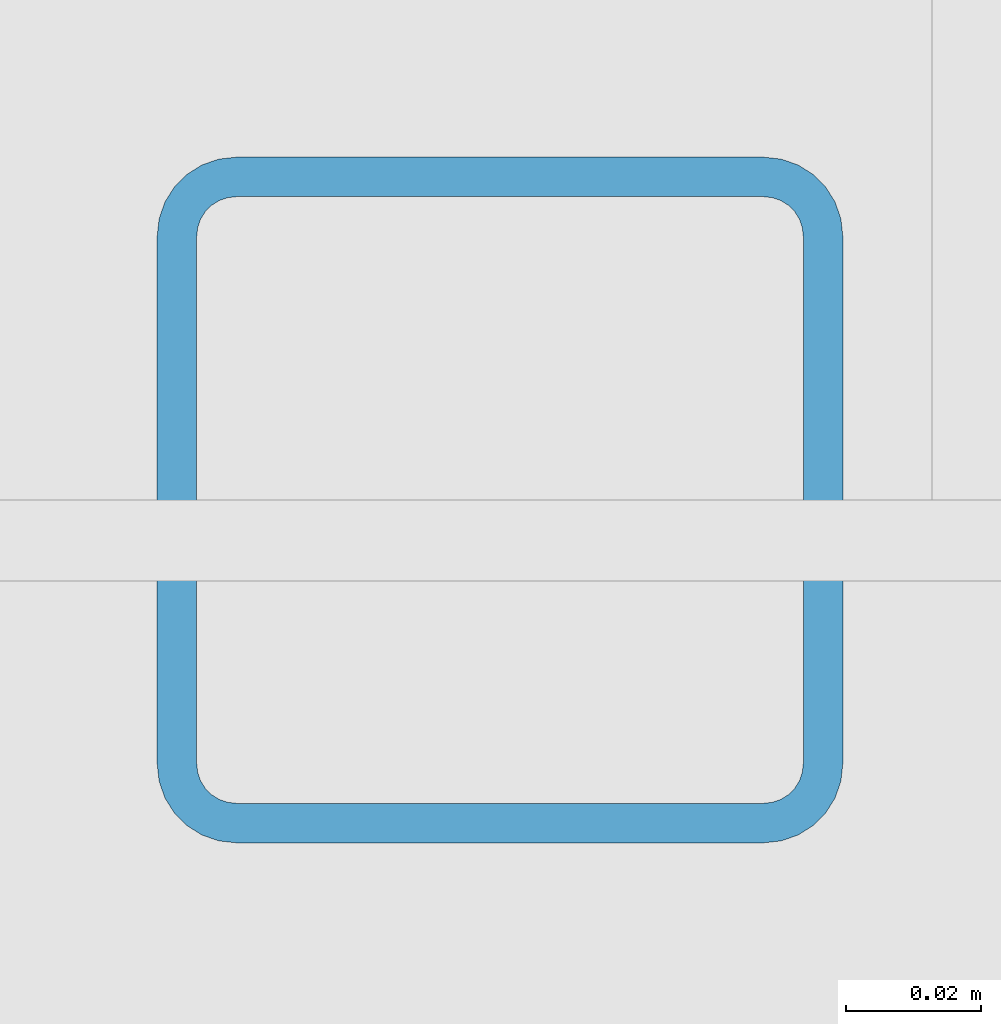
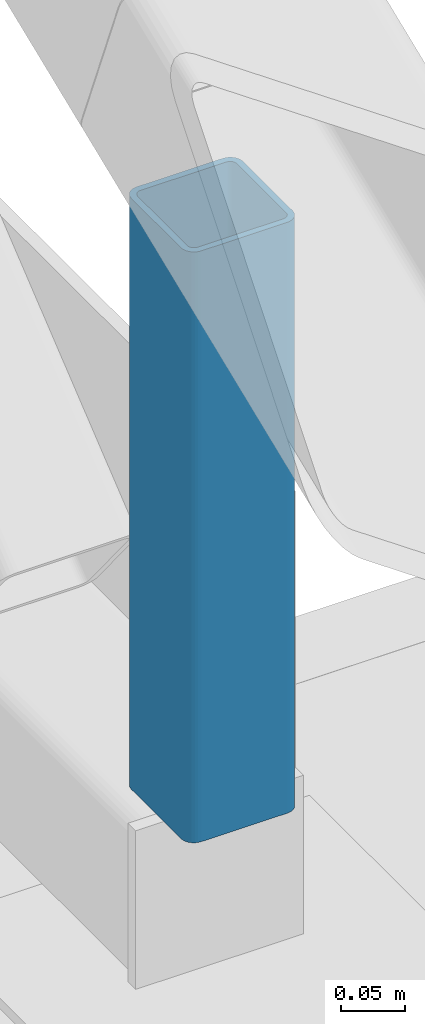
# One storey, part 30 of 71: 1 member.
"""IFC4 building model written with IfcOpenShell, lengths in metres."""

import ifcopenshell
import ifcopenshell.guid

model = None  # the IFC model being written
_history = None  # IfcOwnerHistory: only IFC2X3 demands one
_inside = {}  # id of a spatial element -> (the spatial element, [elements in it])
_under = {}  # id of a project, library or spatial element -> (it, [spatial elements below it])
_declared = {}  # id of a project -> (the project, [libraries it declares])
_typed = {}  # id of a type object -> (the type object, [elements of that type])
_made_of = {}  # id of a material, layer set ... -> (it, [elements and type objects made of it])


def new_model(schema):
    """Start an empty IFC model of exactly this schema.

    Asked for "IFC4X3", IfcOpenShell would pick the latest addendum, in which some entities
    have other attributes; the version numbers below select the first issue.
    IFC2X3 requires an IfcOwnerHistory on every rooted entity: one is made here for all.
    """
    global model, _history
    if schema == "IFC4X3":
        model = ifcopenshell.file(schema_version=(4, 3, 0, 0))
    else:
        model = ifcopenshell.file(schema=schema)
    _inside.clear()
    _under.clear()
    _declared.clear()
    _typed.clear()
    _made_of.clear()
    _history = None
    if model.schema == "IFC2X3":
        org = make("IfcOrganization", Name="unknown")
        user = make(
            "IfcPersonAndOrganization",
            ThePerson=make("IfcPerson", FamilyName="unknown"),
            TheOrganization=org,
        )
        app = make(
            "IfcApplication",
            ApplicationDeveloper=org,
            Version="unknown",
            ApplicationFullName="unknown",
            ApplicationIdentifier="unknown",
        )
        _history = make(
            "IfcOwnerHistory",
            OwningUser=user,
            OwningApplication=app,
            ChangeAction="ADDED",
            CreationDate=0,
        )
    return model


def make(cls, **values):
    """One entity of the class cls with the attributes given. An attribute that is None is left unset."""
    return model.create_entity(
        cls, **{name: value for name, value in values.items() if value is not None}
    )


def rooted(cls, **values):
    """An entity with a GlobalId (a new one), such as an element, a storey or a relation."""
    return make(cls, GlobalId=ifcopenshell.guid.new(), OwnerHistory=_history, **values)


def si_unit(unit_type, name, prefix=None):
    """IfcSIUnit, for example si_unit("LENGTHUNIT", "METRE", prefix="MILLI")."""
    return make("IfcSIUnit", UnitType=unit_type, Prefix=prefix, Name=name)


def assignment(units):
    """IfcUnitAssignment: the units of a project."""
    return None if units is None else make("IfcUnitAssignment", Units=units)


def point(xyz):
    """IfcCartesianPoint."""
    return None if xyz is None else make("IfcCartesianPoint", Coordinates=xyz)


def direction(xyz):
    """IfcDirection."""
    return None if xyz is None else make("IfcDirection", DirectionRatios=xyz)


def frame(location, z_axis=None, x_axis=None):
    """IfcAxis2Placement3D, a coordinate frame: its origin and axes. An axis left out is left unset."""
    return make(
        "IfcAxis2Placement3D",
        Location=point(location),
        Axis=direction(z_axis),
        RefDirection=direction(x_axis),
    )


def frame_2d(location, x_axis=None):
    """IfcAxis2Placement2D, a coordinate frame in the plane: its origin and x axis."""
    return make(
        "IfcAxis2Placement2D", Location=point(location), RefDirection=direction(x_axis)
    )


def origin():
    """The frame at (0, 0, 0) with its axes left unset."""
    return frame((0.0, 0.0, 0.0))


def origin_2d():
    """The frame at (0, 0) in the plane with its x axis left unset."""
    return frame_2d((0.0, 0.0))


def place(relative_to, where):
    """IfcLocalPlacement: puts the frame where relative to a parent placement (None: the world)."""
    return make(
        "IfcLocalPlacement", PlacementRelTo=relative_to, RelativePlacement=where
    )


def context(
    kind, dimensions, precision=None, world=None, true_north=None, identifier=None
):
    """IfcGeometricRepresentationContext, for example the 3D "Model" context."""
    return make(
        "IfcGeometricRepresentationContext",
        ContextIdentifier=identifier,
        ContextType=kind,
        CoordinateSpaceDimension=dimensions,
        Precision=precision,
        WorldCoordinateSystem=world,
        TrueNorth=true_north,
    )


def subcontext(parent, identifier, kind, view, scale=None):
    """IfcGeometricRepresentationSubContext, for example "Body" below "Model"."""
    return make(
        "IfcGeometricRepresentationSubContext",
        ContextIdentifier=identifier,
        ContextType=kind,
        ParentContext=parent,
        TargetScale=scale,
        TargetView=view,
    )


def project(units=None, contexts=None):
    """IfcProject with its units and contexts."""
    return rooted(
        "IfcProject",
        Name="project",
        RepresentationContexts=contexts,
        UnitsInContext=assignment(units),
    )


def spatial(cls, under=None, at=None, **own):
    """A site, building, storey or space (cls), placed at a placement, below another one or the project."""
    s = rooted(cls, ObjectPlacement=at, **own)
    if under is not None:
        _under.setdefault(under.id(), (under, []))[1].append(s)
    return s


def profile(cls, at=None, kind="AREA", **sizes):
    """A parametric profile (cls). Its sizes go by their IFC names, for example OverallWidth=200.0."""
    return make(cls, ProfileType=kind, Position=at, **sizes)


def hollow_rectangle(**sizes):
    """IfcRectangleHollowProfileDef."""
    return profile("IfcRectangleHollowProfileDef", **sizes)


def extrude(swept, where, along, depth):
    """IfcExtrudedAreaSolid: the profile swept, set in the frame where, extruded along a direction by depth."""
    return make(
        "IfcExtrudedAreaSolid",
        SweptArea=swept,
        Position=where,
        ExtrudedDirection=direction(along),
        Depth=depth,
    )


def shape(context_of_items, identifier, shape_type, items):
    """IfcShapeRepresentation: the items that make up one representation, for example the "Body"."""
    return make(
        "IfcShapeRepresentation",
        ContextOfItems=context_of_items,
        RepresentationIdentifier=identifier,
        RepresentationType=shape_type,
        Items=items,
    )


def material(Name=None, Category=None):
    """IfcMaterial."""
    return make("IfcMaterial", Name=Name, Category=Category)


def material_profile(
    of_material, cross_section, Name=None, Category=None, Priority=None
):
    """IfcMaterialProfile: a cross section and its material."""
    return make(
        "IfcMaterialProfile",
        Name=Name,
        Material=of_material,
        Profile=cross_section,
        Priority=Priority,
        Category=Category,
    )


def profile_set(profiles, Name=None, composite=None):
    """IfcMaterialProfileSet."""
    return make(
        "IfcMaterialProfileSet",
        Name=Name,
        MaterialProfiles=profiles,
        CompositeProfile=composite,
    )


def made_of(thing, what):
    """Note that an element or type object is made of a material, layer set ...; save() writes the relation."""
    if what is not None:
        _made_of.setdefault(what.id(), (what, []))[1].append(thing)
    return thing


def type_object(cls, material=None, **own):
    """A type object (cls), such as IfcWallType, which elements share."""
    return made_of(rooted(cls, **own), material)


def element(
    cls,
    number,
    at=None,
    inside=None,
    cuts=None,
    type_object=None,
    material=None,
    context=None,
    identifier="Body",
    shape_type=None,
    held_by="IfcProductDefinitionShape",
    body=None,
    shapes=None,
    **own,
):
    """One element of the class cls, such as IfcWall. Its Tag is "e" and its number.

    at: its placement. inside: the storey or other place that contains it. cuts: it is an
    opening in that element (IfcRelVoidsElement). A single representation is given by context,
    identifier, shape_type and body (its items); several are given by shapes. held_by: the class
    of the entity that holds the representations. save() writes the other relations.
    """
    e = rooted(cls, Tag="e%d" % number, ObjectPlacement=at, **own)
    if body is not None:
        shapes = [shape(context, identifier, shape_type, body)]
    if shapes is not None:
        e.Representation = make(held_by, Representations=shapes)
    if inside is not None:
        _inside.setdefault(inside.id(), (inside, []))[1].append(e)
    if cuts is not None:
        rooted(
            "IfcRelVoidsElement", RelatingBuildingElement=cuts, RelatedOpeningElement=e
        )
    if type_object is not None:
        _typed.setdefault(type_object.id(), (type_object, []))[1].append(e)
    return made_of(e, material)


def aggregate(whole, parts):
    """IfcRelAggregates: a whole, such as a stair, and the parts it consists of."""
    return rooted("IfcRelAggregates", RelatingObject=whole, RelatedObjects=parts)


def save(model, path):
    """Write the relations noted so far, then the file.

    IfcRelAggregates (storeys below a building ...), IfcRelContainedInSpatialStructure (elements
    in a storey), IfcRelDefinesByType, IfcRelAssociatesMaterial and IfcRelDeclares: one each for
    every whole, place, type object, material and project.
    """
    for whole, parts in _under.values():
        aggregate(whole, parts)
    for where, things in _inside.values():
        rooted(
            "IfcRelContainedInSpatialStructure",
            RelatedElements=things,
            RelatingStructure=where,
        )
    for kind, things in _typed.values():
        rooted("IfcRelDefinesByType", RelatedObjects=things, RelatingType=kind)
    for what, things in _made_of.values():
        rooted("IfcRelAssociatesMaterial", RelatedObjects=things, RelatingMaterial=what)
    for by, libraries in _declared.values():
        rooted("IfcRelDeclares", RelatingContext=by, RelatedDefinitions=libraries)
    model.write(path)


model = new_model("IFC4")

# Units and contexts
model_context = context("Model", 3, precision=1e-05, world=origin(), true_north=direction((0.0, 1.0)))
body_context = subcontext(model_context, "Body", "Model", "MODEL_VIEW")
ifc_project = project(units=[si_unit("LENGTHUNIT", "METRE"), si_unit("AREAUNIT", "SQUARE_METRE"), si_unit("VOLUMEUNIT", "CUBIC_METRE"), si_unit("PLANEANGLEUNIT", "RADIAN"), si_unit("MASSUNIT", "GRAM", prefix="KILO")], contexts=[model_context])

# Site, building, storey
site_placement = place(None, origin())
site = spatial("IfcSite", under=ifc_project, at=site_placement, CompositionType="ELEMENT")
building_placement = place(site_placement, origin())
building = spatial("IfcBuilding", under=site, at=building_placement, Name="Wasatch Bagh Community Centre", CompositionType="ELEMENT")
storey_placement = place(building_placement, frame((0.0, 0.0, 12.60009765625)))
storey = spatial("IfcBuildingStorey", under=building, at=storey_placement, Name="L03", CompositionType="ELEMENT", Elevation=12.60009765625)

# Member
ifc_material = material(Name="ASTM A500 Grade C steel", Category="steel")
ifc_material_profile = material_profile(ifc_material, hollow_rectangle(XDim=0.1015625, YDim=0.1015625, WallThickness=0.005859375, InnerFilletRadius=0.005859375, OuterFilletRadius=0.01171875, at=origin_2d()), Name="HSS4x4x1/4")
ifc_profile_set = profile_set([ifc_material_profile], Name="ASTM A500 Grade C steel")
member_type = type_object("IfcMemberType", Name="SH HSS4x4x1/4 post", PredefinedType="POST", material=ifc_profile_set)
member_placement = place(storey_placement, frame((129.0, 38.199951171875, 0.76220703125), z_axis=(0.0, 0.0, 1.0), x_axis=(1.0, 0.0, 0.0)))
element("IfcMember", 1, at=member_placement, inside=storey, type_object=member_type, Name="SH.SA4.PS01", PredefinedType="POST", context=body_context, shape_type="SweptSolid", body=[
    extrude(hollow_rectangle(XDim=0.1015625, YDim=0.1015625, WallThickness=0.005859375, InnerFilletRadius=0.005859375, OuterFilletRadius=0.01171875, at=origin_2d()), origin(), (0.0, 0.0, 1.0), 0.5673828125),
])

save(model, "model.ifc")
